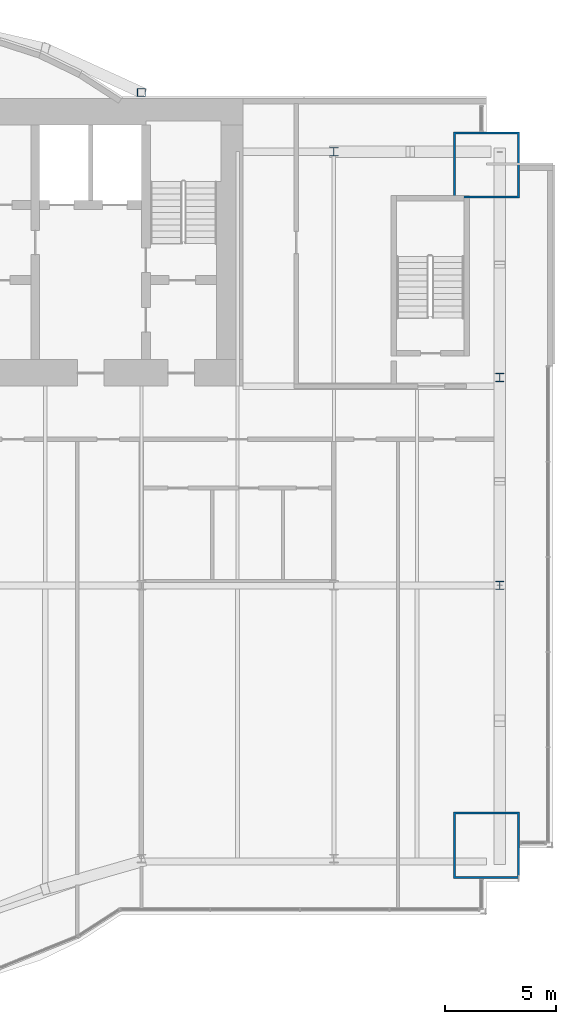
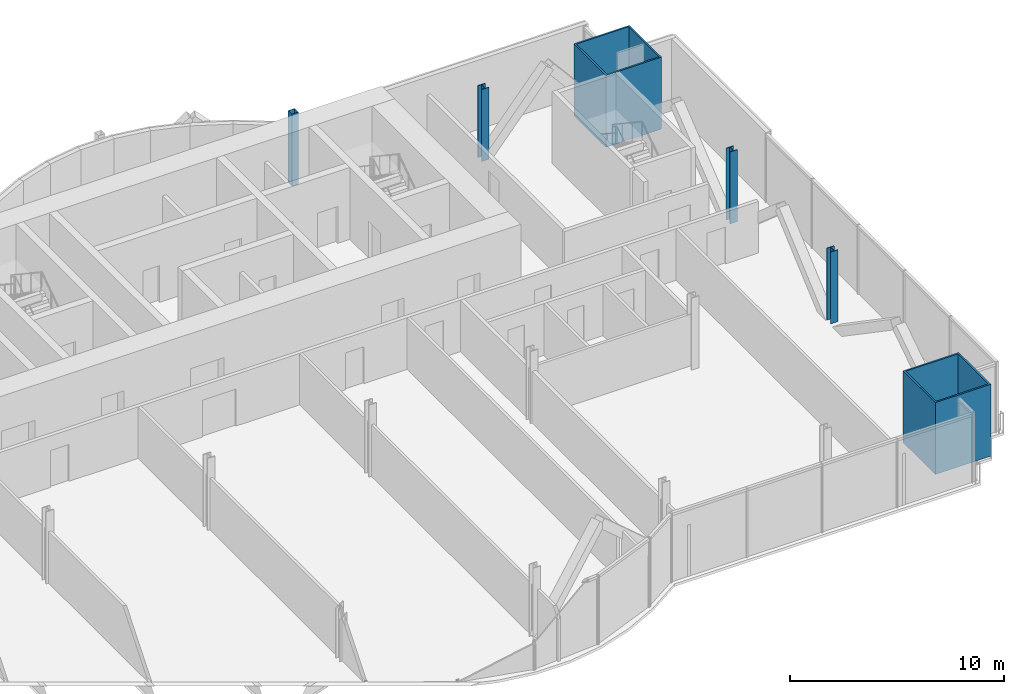
# One storey, part 3 of 21: 6 columns.
"""IFC4 building model written with IfcOpenShell, lengths in metres."""

from ifc_helpers import new_model, si_unit, direction, frame, origin, origin_2d, place, context, subcontext, project, spatial, hollow_rectangle, i_section, extrude, material, material_profile, profile_set, type_object, element, save


model = new_model("IFC4")

# Units and contexts
model_context = context("Model", 3, precision=1e-05, world=origin(), true_north=direction((0.0, 1.0)))
body_context = subcontext(model_context, "Body", "Model", "MODEL_VIEW")
ifc_project = project(units=[si_unit("LENGTHUNIT", "METRE"), si_unit("AREAUNIT", "SQUARE_METRE"), si_unit("VOLUMEUNIT", "CUBIC_METRE"), si_unit("PLANEANGLEUNIT", "RADIAN"), si_unit("MASSUNIT", "GRAM", prefix="KILO")], contexts=[model_context])

# Site, building, storey
site_placement = place(None, origin())
site = spatial("IfcSite", under=ifc_project, at=site_placement, CompositionType="ELEMENT")
building_placement = place(site_placement, origin())
building = spatial("IfcBuilding", under=site, at=building_placement, Name="Bicima Exchange Tower", CompositionType="ELEMENT")
storey_placement = place(building_placement, frame((0.0, 0.0, 126.800048828125)))
storey = spatial("IfcBuildingStorey", under=building, at=storey_placement, Name="L27", CompositionType="ELEMENT", Elevation=126.800048828125)

# Columns
ifc_material_1 = material(Name="Steel ASTM A572 Gr 50", Category="steel")
ifc_material_profile_1 = material_profile(ifc_material_1, hollow_rectangle(XDim=3.0, YDim=3.0, WallThickness=0.090087890625, at=origin_2d()))
ifc_profile_set_1 = profile_set([ifc_material_profile_1], Name="Steel ASTM A572 Gr 50")
column_type_1 = type_object("IfcColumnType", Name="Mega column BOX 3000x3000x90", PredefinedType="COLUMN", material=ifc_profile_set_1)
for number, where, z_axis, x_axis, name in (
    (1, (33.0, -33.75390625, 0.0), (0.0, 0.0, 1.0), (1.0, 0.0, 0.0), "Mega column mega+33.0f"),
    (2, (33.0, -3.0, 0.0), (0.0, 0.0, 1.0), (1.0, 0.0, 0.0), "Mega column mega+33.0r"),
):
    element("IfcColumn", number, at=place(storey_placement, frame(where, z_axis=z_axis, x_axis=x_axis)), inside=storey, type_object=column_type_1, Name=name, PredefinedType="COLUMN", context=body_context, shape_type="SweptSolid", body=[
        extrude(hollow_rectangle(XDim=3.0, YDim=3.0, WallThickness=0.090087890625, at=origin_2d()), origin(), (0.0, 0.0, 1.0), 4.099853515625),
    ])
ifc_material_2 = material(Name="Steel ASTM A992 Gr 50", Category="steel")
ifc_material_profile_2 = material_profile(ifc_material_2, i_section(OverallWidth=0.398681640625, OverallDepth=0.393798828125, WebThickness=0.022705078125, FlangeThickness=0.03662109375, at=origin_2d()))
ifc_profile_set_2 = profile_set([ifc_material_profile_2], Name="Steel ASTM A992 Gr 50")
column_type_2 = type_object("IfcColumnType", Name="Perimeter column W14x193", PredefinedType="COLUMN", material=ifc_profile_set_2)
for number, where, z_axis, x_axis, name in (
    (3, (26.10009765625, -2.39990234375, 0.0), (0.0, 0.0, 1.0), (1.0, 0.0, 0.0), "Perimeter column grav+26.1r"),
    (4, (33.60009765625, -12.60009765625, 0.0), (0.0, 0.0, 1.0), (1.0, 0.0, 0.0), "End column end+33.6e"),
    (5, (33.60009765625, -22.0, 0.0), (0.0, 0.0, 1.0), (1.0, 0.0, 0.0), "End column end+33.6e"),
):
    element("IfcColumn", number, at=place(storey_placement, frame(where, z_axis=z_axis, x_axis=x_axis)), inside=storey, type_object=column_type_2, Name=name, PredefinedType="COLUMN", context=body_context, shape_type="SweptSolid", body=[
        extrude(i_section(OverallWidth=0.398681640625, OverallDepth=0.393798828125, WebThickness=0.022705078125, FlangeThickness=0.03662109375, at=origin_2d()), origin(), (0.0, 0.0, 1.0), 4.099853515625),
    ])
ifc_material_profile_3 = material_profile(ifc_material_1, hollow_rectangle(XDim=0.355712890625, YDim=0.355712890625, WallThickness=0.01171875, at=origin_2d()))
ifc_profile_set_3 = profile_set([ifc_material_profile_3], Name="Steel ASTM A572 Gr 50")
column_type_3 = type_object("IfcColumnType", Name="Rear pilaster HSS14x14x1/2", PredefinedType="COLUMN", material=ifc_profile_set_3)
column_placement = place(storey_placement, frame((17.39990234375, 0.278076171875, 0.0), z_axis=(0.0, 0.0, 1.0), x_axis=(1.0, 0.0, 0.0)))
element("IfcColumn", 6, at=column_placement, inside=storey, type_object=column_type_3, Name="Rear pilaster rexo+17.4r", PredefinedType="COLUMN", context=body_context, shape_type="SweptSolid", body=[
    extrude(hollow_rectangle(XDim=0.355712890625, YDim=0.355712890625, WallThickness=0.01171875, at=origin_2d()), origin(), (0.0, 0.0, 1.0), 4.099853515625),
])

save(model, "model.ifc")
